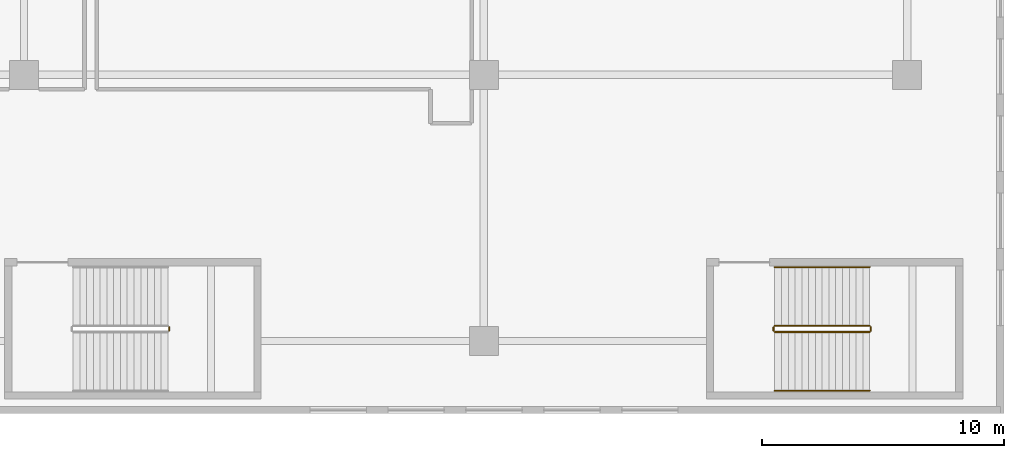
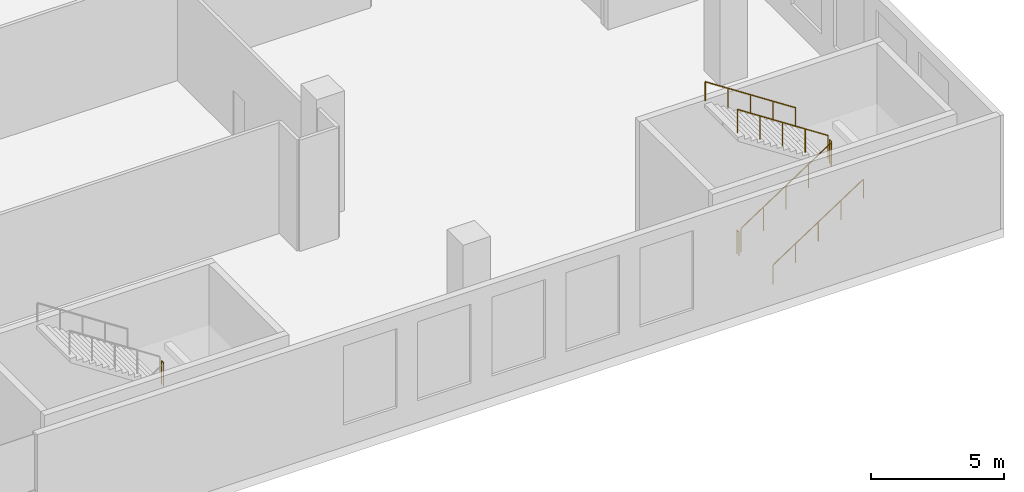
# One storey, part 22 of 26: 7 railings.
"""IFC4 building model written with IfcOpenShell, lengths in metres."""

from ifc_helpers import new_model, si_unit, direction, frame, origin, origin_2d, place, context, subcontext, project, spatial, circle, extrude, material, type_object, element, save


model = new_model("IFC4")

# Units and contexts
model_context = context("Model", 3, precision=1e-05, world=origin(), true_north=direction((0.0, 1.0)))
body_context = subcontext(model_context, "Body", "Model", "MODEL_VIEW")
ifc_project = project(units=[si_unit("LENGTHUNIT", "METRE"), si_unit("AREAUNIT", "SQUARE_METRE"), si_unit("VOLUMEUNIT", "CUBIC_METRE"), si_unit("PLANEANGLEUNIT", "RADIAN"), si_unit("MASSUNIT", "GRAM", prefix="KILO")], contexts=[model_context])

# Site, building, storey
site_placement = place(None, origin())
site = spatial("IfcSite", under=ifc_project, at=site_placement, CompositionType="ELEMENT")
building_placement = place(site_placement, origin())
building = spatial("IfcBuilding", under=site, at=building_placement, Name="Tel Ilan Convention Tower", CompositionType="ELEMENT")
storey_placement = place(building_placement, frame((0.0, 0.0, 37.5)))
storey = spatial("IfcBuildingStorey", under=building, at=storey_placement, Name="L05", CompositionType="ELEMENT", Elevation=37.5)

# Railings
ifc_material_1 = material(Name="Stainless Steel Grade 316", Category="steel")
railing_type_1 = type_object("IfcRailingType", Name="Stainless Steel Stair Guard 1100 mm", PredefinedType="GUARDRAIL", material=ifc_material_1)
railing_1_placement = place(storey_placement, frame((15.4951171875, -78.574951171875, 2.75)))
element("IfcRailing", 1, at=railing_1_placement, inside=storey, type_object=railing_type_1, Name="L05 P3 stair guard 2", PredefinedType="GUARDRAIL", context=body_context, shape_type="SweptSolid", body=[
    extrude(circle(Radius=0.02392578125, at=origin_2d()), frame((0.0, 0.0, 1.076171875), z_axis=(0.0, 1.0, 0.0), x_axis=(-1.0, 0.0, 0.0)), (0.0, 0.0, 1.0), 0.14990234375),
    extrude(circle(Radius=0.02099609375, at=origin_2d()), origin(), (0.0, 0.0, 1.0), 1.052001953125),
    extrude(circle(Radius=0.02099609375, at=origin_2d()), frame((0.0, 0.14990234375, 0.0)), (0.0, 0.0, 1.0), 1.052001953125),
])
railing_2_placement = place(storey_placement, frame((40.52490234375, -78.625, 0.183349609375)))
element("IfcRailing", 2, at=railing_2_placement, inside=storey, type_object=railing_type_1, Name="L05 P4 stair guard 1", PredefinedType="GUARDRAIL", context=body_context, shape_type="SweptSolid", body=[
    extrude(circle(Radius=0.02392578125, at=origin_2d()), frame((0.0, 0.0, 1.076171875), z_axis=(0.836630751959, 0.0, 0.54776727255), x_axis=(0.0, 1.0, 0.0)), (0.0, 0.0, 1.0), 4.685546875),
    extrude(circle(Radius=0.02099609375, at=origin_2d()), origin(), (0.0, 0.0, 1.0), 1.052001953125),
    extrude(circle(Radius=0.02099609375, at=origin_2d()), frame((0.97998046875, 0.0, 0.6416015625)), (0.0, 0.0, 1.0), 1.052001953125),
    extrude(circle(Radius=0.02099609375, at=origin_2d()), frame((1.9599609375, 0.0, 1.283203125)), (0.0, 0.0, 1.0), 1.052001953125),
    extrude(circle(Radius=0.02099609375, at=origin_2d()), frame((2.940185546875, 0.0, 1.925048828125)), (0.0, 0.0, 1.0), 1.052001953125),
    extrude(circle(Radius=0.02099609375, at=origin_2d()), frame((3.920166015625, 0.0, 2.566650390625)), (0.0, 0.0, 1.0), 1.052001953125),
])
railing_3_placement = place(storey_placement, frame((44.4951171875, -78.574951171875, 2.75)))
element("IfcRailing", 3, at=railing_3_placement, inside=storey, type_object=railing_type_1, Name="L05 P4 stair guard 2", PredefinedType="GUARDRAIL", context=body_context, shape_type="SweptSolid", body=[
    extrude(circle(Radius=0.02392578125, at=origin_2d()), frame((0.0, 0.0, 1.076171875), z_axis=(0.0, 1.0, 0.0), x_axis=(-1.0, 0.0, 0.0)), (0.0, 0.0, 1.0), 0.14990234375),
    extrude(circle(Radius=0.02099609375, at=origin_2d()), origin(), (0.0, 0.0, 1.0), 1.052001953125),
    extrude(circle(Radius=0.02099609375, at=origin_2d()), frame((0.0, 0.14990234375, 0.0)), (0.0, 0.0, 1.0), 1.052001953125),
])
railing_4_placement = place(storey_placement, frame((44.445068359375, -78.375, 2.933349609375)))
element("IfcRailing", 4, at=railing_4_placement, inside=storey, type_object=railing_type_1, Name="L05 P4 stair guard 3", PredefinedType="GUARDRAIL", context=body_context, shape_type="SweptSolid", body=[
    extrude(circle(Radius=0.02392578125, at=origin_2d()), frame((0.0, 0.0, 1.076171875), z_axis=(-0.836630751959, 0.0, 0.54776727255), x_axis=(0.0, -1.0, 0.0)), (0.0, 0.0, 1.0), 4.685546875),
    extrude(circle(Radius=0.02099609375, at=origin_2d()), origin(), (0.0, 0.0, 1.0), 1.052001953125),
    extrude(circle(Radius=0.02099609375, at=origin_2d()), frame((-0.97998046875, 0.0, 0.6416015625)), (0.0, 0.0, 1.0), 1.052001953125),
    extrude(circle(Radius=0.02099609375, at=origin_2d()), frame((-1.9599609375, 0.0, 1.283203125)), (0.0, 0.0, 1.0), 1.052001953125),
    extrude(circle(Radius=0.02099609375, at=origin_2d()), frame((-2.940185546875, 0.0, 1.925048828125)), (0.0, 0.0, 1.0), 1.052001953125),
    extrude(circle(Radius=0.02099609375, at=origin_2d()), frame((-3.920166015625, 0.0, 2.566650390625)), (0.0, 0.0, 1.0), 1.052001953125),
])
railing_5_placement = place(storey_placement, frame((40.47509765625, -78.574951171875, 0.0)))
element("IfcRailing", 5, at=railing_5_placement, inside=storey, type_object=railing_type_1, Name="L05 P4 stair guard 4", PredefinedType="GUARDRAIL", context=body_context, shape_type="SweptSolid", body=[
    extrude(circle(Radius=0.02392578125, at=origin_2d()), frame((0.0, 0.0, 1.076171875), z_axis=(0.0, 1.0, 0.0), x_axis=(-1.0, 0.0, 0.0)), (0.0, 0.0, 1.0), 0.14990234375),
    extrude(circle(Radius=0.02099609375, at=origin_2d()), origin(), (0.0, 0.0, 1.0), 1.052001953125),
    extrude(circle(Radius=0.02099609375, at=origin_2d()), frame((0.0, 0.14990234375, 0.0)), (0.0, 0.0, 1.0), 1.052001953125),
])
ifc_material_2 = material(Name="Stainless Steel Grade 316", Category="steel")
railing_type_2 = type_object("IfcRailingType", Name="Stainless Steel Stair Handrail 900 mm", PredefinedType="HANDRAIL", material=ifc_material_2)
railing_6_placement = place(storey_placement, frame((40.52490234375, -81.050048828125, 0.183349609375)))
element("IfcRailing", 6, at=railing_6_placement, inside=storey, type_object=railing_type_2, Name="L05 P4 stair handrail 1", PredefinedType="HANDRAIL", context=body_context, shape_type="SweptSolid", body=[
    extrude(circle(Radius=0.02392578125, at=origin_2d()), frame((0.0, 0.0, 0.8759765625), z_axis=(0.836630751959, 0.0, 0.54776727255), x_axis=(0.0, 1.0, 0.0)), (0.0, 0.0, 1.0), 4.685546875),
    extrude(circle(Radius=0.02099609375, at=origin_2d()), origin(), (0.0, 0.0, 1.0), 0.851806640625),
    extrude(circle(Radius=0.02099609375, at=origin_2d()), frame((0.97998046875, 0.0, 0.6416015625)), (0.0, 0.0, 1.0), 0.851806640625),
    extrude(circle(Radius=0.02099609375, at=origin_2d()), frame((1.9599609375, 0.0, 1.283203125)), (0.0, 0.0, 1.0), 0.851806640625),
    extrude(circle(Radius=0.02099609375, at=origin_2d()), frame((2.940185546875, 0.0, 1.925048828125)), (0.0, 0.0, 1.0), 0.851806640625),
    extrude(circle(Radius=0.02099609375, at=origin_2d()), frame((3.920166015625, 0.0, 2.566650390625)), (0.0, 0.0, 1.0), 0.851806640625),
])
railing_7_placement = place(storey_placement, frame((44.445068359375, -75.949951171875, 2.933349609375)))
element("IfcRailing", 7, at=railing_7_placement, inside=storey, type_object=railing_type_2, Name="L05 P4 stair handrail 2", PredefinedType="HANDRAIL", context=body_context, shape_type="SweptSolid", body=[
    extrude(circle(Radius=0.02392578125, at=origin_2d()), frame((0.0, 0.0, 0.8759765625), z_axis=(-0.836630751959, 0.0, 0.54776727255), x_axis=(0.0, -1.0, 0.0)), (0.0, 0.0, 1.0), 4.685546875),
    extrude(circle(Radius=0.02099609375, at=origin_2d()), origin(), (0.0, 0.0, 1.0), 0.851806640625),
    extrude(circle(Radius=0.02099609375, at=origin_2d()), frame((-0.97998046875, 0.0, 0.6416015625)), (0.0, 0.0, 1.0), 0.851806640625),
    extrude(circle(Radius=0.02099609375, at=origin_2d()), frame((-1.9599609375, 0.0, 1.283203125)), (0.0, 0.0, 1.0), 0.851806640625),
    extrude(circle(Radius=0.02099609375, at=origin_2d()), frame((-2.940185546875, 0.0, 1.925048828125)), (0.0, 0.0, 1.0), 0.851806640625),
    extrude(circle(Radius=0.02099609375, at=origin_2d()), frame((-3.920166015625, 0.0, 2.566650390625)), (0.0, 0.0, 1.0), 0.851806640625),
])

save(model, "model.ifc")
